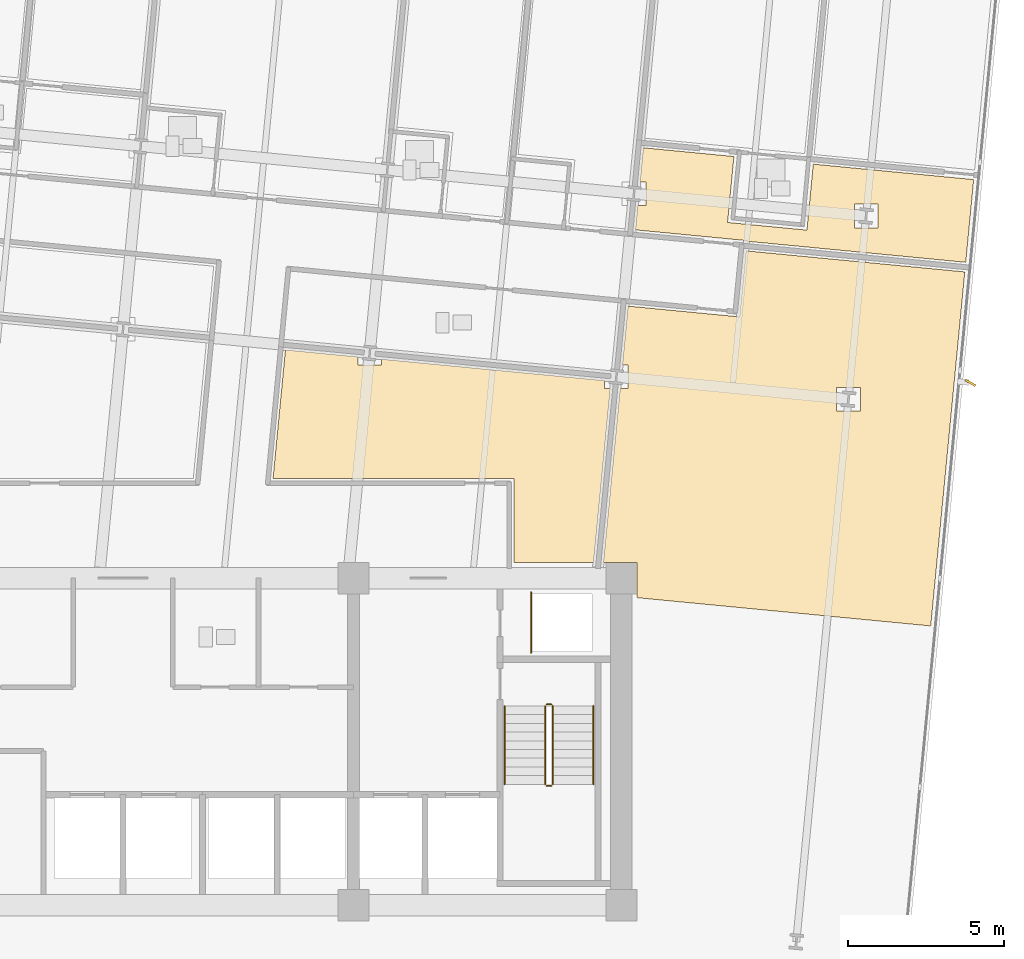
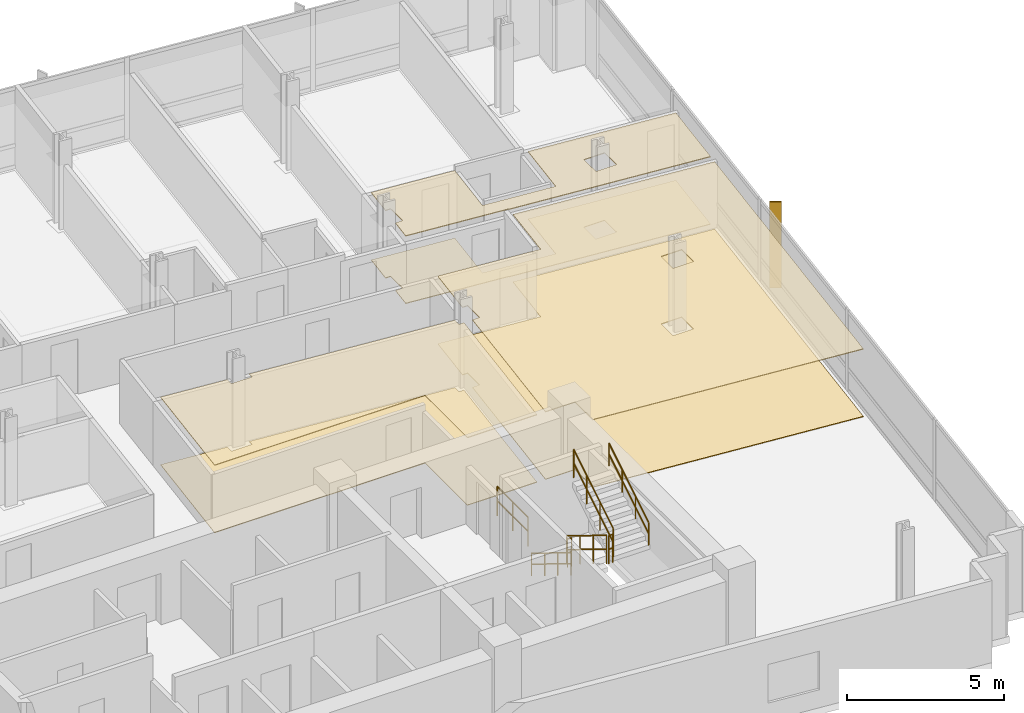
# One storey, part 15 of 17: 7 railings, 6 coverings, 1 shading device.
"""IFC4 building model written with IfcOpenShell, lengths in metres."""

from ifc_helpers import new_model, si_unit, direction, frame, origin, origin_2d, place, context, subcontext, project, spatial, polyline, rectangle, circle, outline, extrude, material, layer, layer_set, type_object, element, save


model = new_model("IFC4")

# Units and contexts
model_context = context("Model", 3, precision=1e-05, world=origin(), true_north=direction((0.0, 1.0)))
body_context = subcontext(model_context, "Body", "Model", "MODEL_VIEW")
ifc_project = project(units=[si_unit("LENGTHUNIT", "METRE"), si_unit("AREAUNIT", "SQUARE_METRE"), si_unit("VOLUMEUNIT", "CUBIC_METRE"), si_unit("PLANEANGLEUNIT", "RADIAN"), si_unit("MASSUNIT", "GRAM", prefix="KILO")], contexts=[model_context])

# Site, building, storey
site_placement = place(None, origin())
site = spatial("IfcSite", under=ifc_project, at=site_placement, CompositionType="ELEMENT")
building_placement = place(site_placement, origin())
building = spatial("IfcBuilding", under=site, at=building_placement, Name="Solmavex Isthmus Hotel", CompositionType="ELEMENT")
storey_placement = place(building_placement, frame((0.0, 0.0, 139.35009765625)))
storey = spatial("IfcBuildingStorey", under=building, at=storey_placement, Name="L37", CompositionType="ELEMENT", Elevation=139.35009765625)

# Coverings
ifc_material_1 = material(Name="Gypsum plasterboard lining", Category="gypsum")
ifc_layer_1 = layer(ifc_material_1, 0.030029296875)
ifc_layer_set_1 = layer_set([ifc_layer_1], Name="Gypsum plasterboard lining")
covering_type_1 = type_object("IfcCoveringType", Name="COV-CEIL-GYP", PredefinedType="CEILING", material=ifc_layer_set_1)
covering_1_placement = place(storey_placement, frame((0.0, 0.0, 2.619873046875)))
element("IfcCovering", 1, at=covering_1_placement, inside=storey, type_object=covering_type_1, Name="Suspended Acoustic Ceiling L37-ST07-FY", PredefinedType="CEILING", context=body_context, shape_type="SweptSolid", body=[
    extrude(outline(polyline([(19.614501953125, 11.0390625), (16.703857421875, 11.3193359375), (16.5986328125, 10.22607421875), (16.786376953125, 10.22607421875), (16.786376953125, 9.466064453125), (16.525390625, 9.466064453125), (16.449951171875, 8.68359375), (20.033447265625, 8.33837890625), (20.031494140625, 8.318603515625), (27.05712890625, 7.64208984375), (27.312744140625, 10.2978515625), (22.16259765625, 10.793701171875), (21.958740234375, 8.675537109375), (19.410400390625, 8.9208984375), (19.614501953125, 11.0390625)]), holes=[polyline([(23.479736328125, 8.748291015625), (23.479736328125, 9.50830078125), (24.23974609375, 9.50830078125), (24.23974609375, 8.748291015625), (23.479736328125, 8.748291015625)])]), origin(), (0.0, 0.0, 1.0), 0.030029296875),
])
covering_2_placement = place(storey_placement, frame((0.0, 0.0, 2.619873046875)))
element("IfcCovering", 2, at=covering_2_placement, inside=storey, type_object=covering_type_1, Name="Suspended Acoustic Ceiling L37-FL10", PredefinedType="CEILING", context=body_context, shape_type="SweptSolid", body=[
    extrude(outline(polyline([(8.300537109375, 4.535400390625), (8.300537109375, 4.347900390625), (7.540771484375, 4.347900390625), (7.540771484375, 4.608642578125), (5.21533203125, 4.83251953125), (4.81787109375, 0.705078125), (12.554931640625, 0.705078125), (12.554931640625, -1.9951171875), (15.1103515625, -1.9951171875), (15.647705078125, 3.585205078125), (15.4599609375, 3.585205078125), (15.4599609375, 3.84619140625), (8.300537109375, 4.535400390625)])), origin(), (0.0, 0.0, 1.0), 0.030029296875),
])
covering_3_placement = place(storey_placement, frame((0.0, 0.0, 2.619873046875)))
element("IfcCovering", 3, at=covering_3_placement, inside=storey, type_object=covering_type_1, Name="Suspended Acoustic Ceiling L37-FL11", PredefinedType="CEILING", context=body_context, shape_type="SweptSolid", body=[
    extrude(outline(polyline([(16.0322265625, 4.34521484375), (16.219970703125, 4.34521484375), (16.219970703125, 3.585205078125), (15.959228515625, 3.585205078125), (15.421875, -1.9951171875), (16.5048828125, -1.9951171875), (16.5048828125, -3.126220703125), (25.932861328125, -4.033935546875), (26.603271484375, 2.928955078125), (27.02734375, 7.33349609375), (20.001953125, 8.010009765625), (19.797607421875, 5.8896484375), (16.21435546875, 6.23486328125), (16.0322265625, 4.34521484375)]), holes=[polyline([(22.91357421875, 2.867431640625), (22.91357421875, 3.62744140625), (23.673583984375, 3.62744140625), (23.673583984375, 2.867431640625), (22.91357421875, 2.867431640625)])]), origin(), (0.0, 0.0, 1.0), 0.030029296875),
])
ifc_material_2 = material(Name="Travertine natural stone", Category="masonry")
ifc_layer_2 = layer(ifc_material_2, 0.02490234375)
ifc_layer_set_2 = layer_set([ifc_layer_2], Name="Travertine natural stone")
covering_type_2 = type_object("IfcCoveringType", Name="COV-FLOR-STN", PredefinedType="FLOORING", material=ifc_layer_set_2)
covering_4_placement = place(storey_placement, origin())
element("IfcCovering", 4, at=covering_4_placement, inside=storey, type_object=covering_type_2, Name="Stone and Timber Floor Finish L37-ST07-FY", PredefinedType="FLOORING", context=body_context, shape_type="SweptSolid", body=[
    extrude(outline(polyline([(19.614501953125, 11.0390625), (16.703857421875, 11.3193359375), (16.5986328125, 10.22607421875), (16.786376953125, 10.22607421875), (16.786376953125, 9.466064453125), (16.525390625, 9.466064453125), (16.449951171875, 8.68359375), (20.033447265625, 8.33837890625), (20.031494140625, 8.318603515625), (27.05712890625, 7.64208984375), (27.312744140625, 10.2978515625), (22.16259765625, 10.793701171875), (21.958740234375, 8.675537109375), (19.410400390625, 8.9208984375), (19.614501953125, 11.0390625)]), holes=[polyline([(23.479736328125, 8.748291015625), (23.479736328125, 9.50830078125), (24.23974609375, 9.50830078125), (24.23974609375, 8.748291015625), (23.479736328125, 8.748291015625)])]), origin(), (0.0, 0.0, 1.0), 0.02490234375),
])
covering_5_placement = place(storey_placement, origin())
element("IfcCovering", 5, at=covering_5_placement, inside=storey, type_object=covering_type_2, Name="Stone and Timber Floor Finish L37-FL10", PredefinedType="FLOORING", context=body_context, shape_type="SweptSolid", body=[
    extrude(outline(polyline([(8.300537109375, 4.535400390625), (8.300537109375, 4.347900390625), (7.540771484375, 4.347900390625), (7.540771484375, 4.608642578125), (5.21533203125, 4.83251953125), (4.81787109375, 0.705078125), (12.554931640625, 0.705078125), (12.554931640625, -1.9951171875), (15.1103515625, -1.9951171875), (15.647705078125, 3.585205078125), (15.4599609375, 3.585205078125), (15.4599609375, 3.84619140625), (8.300537109375, 4.535400390625)])), origin(), (0.0, 0.0, 1.0), 0.02490234375),
])
covering_6_placement = place(storey_placement, origin())
element("IfcCovering", 6, at=covering_6_placement, inside=storey, type_object=covering_type_2, Name="Stone and Timber Floor Finish L37-FL11", PredefinedType="FLOORING", context=body_context, shape_type="SweptSolid", body=[
    extrude(outline(polyline([(16.0322265625, 4.34521484375), (16.219970703125, 4.34521484375), (16.219970703125, 3.585205078125), (15.959228515625, 3.585205078125), (15.421875, -1.9951171875), (16.5048828125, -1.9951171875), (16.5048828125, -3.126220703125), (25.932861328125, -4.033935546875), (26.603271484375, 2.928955078125), (27.02734375, 7.33349609375), (20.001953125, 8.010009765625), (19.797607421875, 5.8896484375), (16.21435546875, 6.23486328125), (16.0322265625, 4.34521484375)]), holes=[polyline([(22.91357421875, 2.867431640625), (22.91357421875, 3.62744140625), (23.673583984375, 3.62744140625), (23.673583984375, 2.867431640625), (22.91357421875, 2.867431640625)])]), origin(), (0.0, 0.0, 1.0), 0.02490234375),
])

# Railings
ifc_material_3 = material(Name="Clear low-E laminated glass", Category="glass")
ifc_layer_3 = layer(ifc_material_3, 0.080078125)
ifc_layer_set_3 = layer_set([ifc_layer_3], Name="Clear low-E laminated glass")
railing_type_1 = type_object("IfcRailingType", Name="RAIL-ATRIUM-1120", PredefinedType="BALUSTRADE", material=ifc_layer_set_3)
railing_1_placement = place(storey_placement, frame((13.10009765625, -4.89990234375, 0.0)))
element("IfcRailing", 7, at=railing_1_placement, inside=storey, type_object=railing_type_1, Name="Guardrail Balustrade L37-RSE-01", PredefinedType="BALUSTRADE", context=body_context, shape_type="SweptSolid", body=[
    extrude(circle(Radius=0.02392578125, at=origin_2d()), frame((0.0, 0.0, 1.1259765625), z_axis=(0.0, 1.0, 0.0), x_axis=(-1.0, 0.0, 0.0)), (0.0, 0.0, 1.0), 1.949951171875),
    extrude(circle(Radius=0.02392578125, at=origin_2d()), frame((0.0, 0.0, 0.574951171875), z_axis=(0.0, 1.0, 0.0), x_axis=(-1.0, 0.0, 0.0)), (0.0, 0.0, 1.0), 1.949951171875),
    extrude(circle(Radius=0.02099609375, at=origin_2d()), origin(), (0.0, 0.0, 1.0), 1.101806640625),
    extrude(circle(Radius=0.02099609375, at=origin_2d()), frame((0.0, 0.97509765625, 0.0)), (0.0, 0.0, 1.0), 1.101806640625),
    extrude(circle(Radius=0.02099609375, at=origin_2d()), frame((0.0, 1.949951171875, 0.0)), (0.0, 0.0, 1.0), 1.101806640625),
])
ifc_material_4 = material(Name="Stainless steel 316", Category="steel")
ifc_layer_4 = layer(ifc_material_4, 0.06005859375)
ifc_layer_set_4 = layer_set([ifc_layer_4], Name="Stainless steel 316")
railing_type_2 = type_object("IfcRailingType", Name="RAIL-STAIR-GD", PredefinedType="GUARDRAIL", material=ifc_layer_set_4)
railing_2_placement = place(storey_placement, frame((13.550048828125, -6.60009765625, 0.17236328125)))
element("IfcRailing", 8, at=railing_2_placement, inside=storey, type_object=railing_type_2, Name="L37 ST-2 stair guard 1", PredefinedType="GUARDRAIL", context=body_context, shape_type="SweptSolid", body=[
    extrude(circle(Radius=0.02392578125, at=origin_2d()), frame((0.0, 0.0, 1.09619140625), z_axis=(0.0, -0.851400495292, 0.524516154772), x_axis=(1.0, 0.0, 0.0)), (0.0, 0.0, 1.0), 2.9599609375),
    extrude(circle(Radius=0.02392578125, at=origin_2d()), frame((0.0, 0.0, 0.56005859375), z_axis=(0.0, -0.851400495292, 0.524516154772), x_axis=(1.0, 0.0, 0.0)), (0.0, 0.0, 1.0), 2.9599609375),
    extrude(circle(Radius=0.02099609375, at=origin_2d()), origin(), (0.0, 0.0, 1.0), 1.072021484375),
    extrude(circle(Radius=0.02099609375, at=origin_2d()), frame((0.0, -0.840087890625, 0.517578125)), (0.0, 0.0, 1.0), 1.072021484375),
    extrude(circle(Radius=0.02099609375, at=origin_2d()), frame((0.0, -1.679931640625, 1.034912109375)), (0.0, 0.0, 1.0), 1.072021484375),
    extrude(circle(Radius=0.02099609375, at=origin_2d()), frame((0.0, -2.52001953125, 1.552490234375)), (0.0, 0.0, 1.0), 1.072021484375),
])
railing_3_placement = place(storey_placement, frame((13.60009765625, -9.169921875, 1.724853515625)))
element("IfcRailing", 9, at=railing_3_placement, inside=storey, type_object=railing_type_2, Name="L37 ST-2 stair guard 2", PredefinedType="GUARDRAIL", context=body_context, shape_type="SweptSolid", body=[
    extrude(circle(Radius=0.02392578125, at=origin_2d()), frame((0.0, 0.0, 1.09619140625), z_axis=(1.0, 0.0, 0.0), x_axis=(0.0, 1.0, 0.0)), (0.0, 0.0, 1.0), 0.14990234375),
    extrude(circle(Radius=0.02392578125, at=origin_2d()), frame((0.0, 0.0, 0.56005859375), z_axis=(1.0, 0.0, 0.0), x_axis=(0.0, 1.0, 0.0)), (0.0, 0.0, 1.0), 0.14990234375),
    extrude(circle(Radius=0.02099609375, at=origin_2d()), origin(), (0.0, 0.0, 1.0), 1.072021484375),
    extrude(circle(Radius=0.02099609375, at=origin_2d()), frame((0.14990234375, 0.0, 0.0)), (0.0, 0.0, 1.0), 1.072021484375),
])
railing_4_placement = place(storey_placement, frame((13.800048828125, -9.1201171875, 1.8974609375)))
element("IfcRailing", 10, at=railing_4_placement, inside=storey, type_object=railing_type_2, Name="L37 ST-2 stair guard 3", PredefinedType="GUARDRAIL", context=body_context, shape_type="SweptSolid", body=[
    extrude(circle(Radius=0.02392578125, at=origin_2d()), frame((0.0, 0.0, 1.09619140625), z_axis=(0.0, 0.851400495292, 0.524516154772), x_axis=(-1.0, 0.0, 0.0)), (0.0, 0.0, 1.0), 2.9599609375),
    extrude(circle(Radius=0.02392578125, at=origin_2d()), frame((0.0, 0.0, 0.56005859375), z_axis=(0.0, 0.851400495292, 0.524516154772), x_axis=(-1.0, 0.0, 0.0)), (0.0, 0.0, 1.0), 2.9599609375),
    extrude(circle(Radius=0.02099609375, at=origin_2d()), origin(), (0.0, 0.0, 1.0), 1.072021484375),
    extrude(circle(Radius=0.02099609375, at=origin_2d()), frame((0.0, 0.840087890625, 0.517578125)), (0.0, 0.0, 1.0), 1.072021484375),
    extrude(circle(Radius=0.02099609375, at=origin_2d()), frame((0.0, 1.679931640625, 1.034912109375)), (0.0, 0.0, 1.0), 1.072021484375),
    extrude(circle(Radius=0.02099609375, at=origin_2d()), frame((0.0, 2.52001953125, 1.552490234375)), (0.0, 0.0, 1.0), 1.072021484375),
])
railing_5_placement = place(storey_placement, frame((13.60009765625, -6.550048828125, 0.0)))
element("IfcRailing", 11, at=railing_5_placement, inside=storey, type_object=railing_type_2, Name="L37 ST-2 stair guard 4", PredefinedType="GUARDRAIL", context=body_context, shape_type="SweptSolid", body=[
    extrude(circle(Radius=0.02392578125, at=origin_2d()), frame((0.0, 0.0, 1.09619140625), z_axis=(1.0, 0.0, 0.0), x_axis=(0.0, 1.0, 0.0)), (0.0, 0.0, 1.0), 0.14990234375),
    extrude(circle(Radius=0.02392578125, at=origin_2d()), frame((0.0, 0.0, 0.56005859375), z_axis=(1.0, 0.0, 0.0), x_axis=(0.0, 1.0, 0.0)), (0.0, 0.0, 1.0), 0.14990234375),
    extrude(circle(Radius=0.02099609375, at=origin_2d()), origin(), (0.0, 0.0, 1.0), 1.072021484375),
    extrude(circle(Radius=0.02099609375, at=origin_2d()), frame((0.14990234375, 0.0, 0.0)), (0.0, 0.0, 1.0), 1.072021484375),
])
ifc_layer_5 = layer(ifc_material_4, 0.050048828125)
ifc_layer_set_5 = layer_set([ifc_layer_5], Name="Stainless steel 316")
railing_type_3 = type_object("IfcRailingType", Name="RAIL-STAIR-HR", PredefinedType="HANDRAIL", material=ifc_layer_set_5)
railing_6_placement = place(storey_placement, frame((12.25, -6.60009765625, 0.17236328125)))
element("IfcRailing", 12, at=railing_6_placement, inside=storey, type_object=railing_type_3, Name="L37 ST-2 stair handrail 1", PredefinedType="HANDRAIL", context=body_context, shape_type="SweptSolid", body=[
    extrude(circle(Radius=0.02392578125, at=origin_2d()), frame((0.0, 0.0, 0.8759765625), z_axis=(0.0, -0.851400495292, 0.524516154772), x_axis=(1.0, 0.0, 0.0)), (0.0, 0.0, 1.0), 2.9599609375),
    extrude(circle(Radius=0.02392578125, at=origin_2d()), frame((0.0, 0.0, 0.449951171875), z_axis=(0.0, -0.851400495292, 0.524516154772), x_axis=(1.0, 0.0, 0.0)), (0.0, 0.0, 1.0), 2.9599609375),
    extrude(circle(Radius=0.02099609375, at=origin_2d()), origin(), (0.0, 0.0, 1.0), 0.851806640625),
    extrude(circle(Radius=0.02099609375, at=origin_2d()), frame((0.0, -0.840087890625, 0.517578125)), (0.0, 0.0, 1.0), 0.851806640625),
    extrude(circle(Radius=0.02099609375, at=origin_2d()), frame((0.0, -1.679931640625, 1.034912109375)), (0.0, 0.0, 1.0), 0.851806640625),
    extrude(circle(Radius=0.02099609375, at=origin_2d()), frame((0.0, -2.52001953125, 1.552490234375)), (0.0, 0.0, 1.0), 0.851806640625),
])
railing_7_placement = place(storey_placement, frame((15.10009765625, -9.1201171875, 1.8974609375)))
element("IfcRailing", 13, at=railing_7_placement, inside=storey, type_object=railing_type_3, Name="L37 ST-2 stair handrail 2", PredefinedType="HANDRAIL", context=body_context, shape_type="SweptSolid", body=[
    extrude(circle(Radius=0.02392578125, at=origin_2d()), frame((0.0, 0.0, 0.8759765625), z_axis=(0.0, 0.851400495292, 0.524516154772), x_axis=(-1.0, 0.0, 0.0)), (0.0, 0.0, 1.0), 2.9599609375),
    extrude(circle(Radius=0.02392578125, at=origin_2d()), frame((0.0, 0.0, 0.449951171875), z_axis=(0.0, 0.851400495292, 0.524516154772), x_axis=(-1.0, 0.0, 0.0)), (0.0, 0.0, 1.0), 2.9599609375),
    extrude(circle(Radius=0.02099609375, at=origin_2d()), origin(), (0.0, 0.0, 1.0), 0.851806640625),
    extrude(circle(Radius=0.02099609375, at=origin_2d()), frame((0.0, 0.840087890625, 0.517578125)), (0.0, 0.0, 1.0), 0.851806640625),
    extrude(circle(Radius=0.02099609375, at=origin_2d()), frame((0.0, 1.679931640625, 1.034912109375)), (0.0, 0.0, 1.0), 0.851806640625),
    extrude(circle(Radius=0.02099609375, at=origin_2d()), frame((0.0, 2.52001953125, 1.552490234375)), (0.0, 0.0, 1.0), 0.851806640625),
])

# Shading device
ifc_material_5 = material(Name="Aluminium alloy 6063-T6", Category="aluminium")
shading_device_type = type_object("IfcShadingDeviceType", Name="SHD-FIN-CHAMP", PredefinedType="USERDEFINED", material=ifc_material_5)
shading_device_placement = place(storey_placement, frame((27.2021484375, 3.775390625, -0.14013671875), z_axis=(0.0, 0.0, 1.0), x_axis=(0.87035569594, -0.492423560103, 0.0)))
element("IfcShadingDevice", 14, at=shading_device_placement, inside=storey, type_object=shading_device_type, Name="Anodised Aluminium Solar Fin L37-E1", ObjectType="SOLAR_FIN", PredefinedType="USERDEFINED", context=body_context, shape_type="SweptSolid", body=[
    extrude(rectangle(XDim=0.3798828125, YDim=0.070068359375, at=origin_2d()), origin(), (0.0, 0.0, 1.0), 3.330078125),
])

save(model, "model.ifc")
